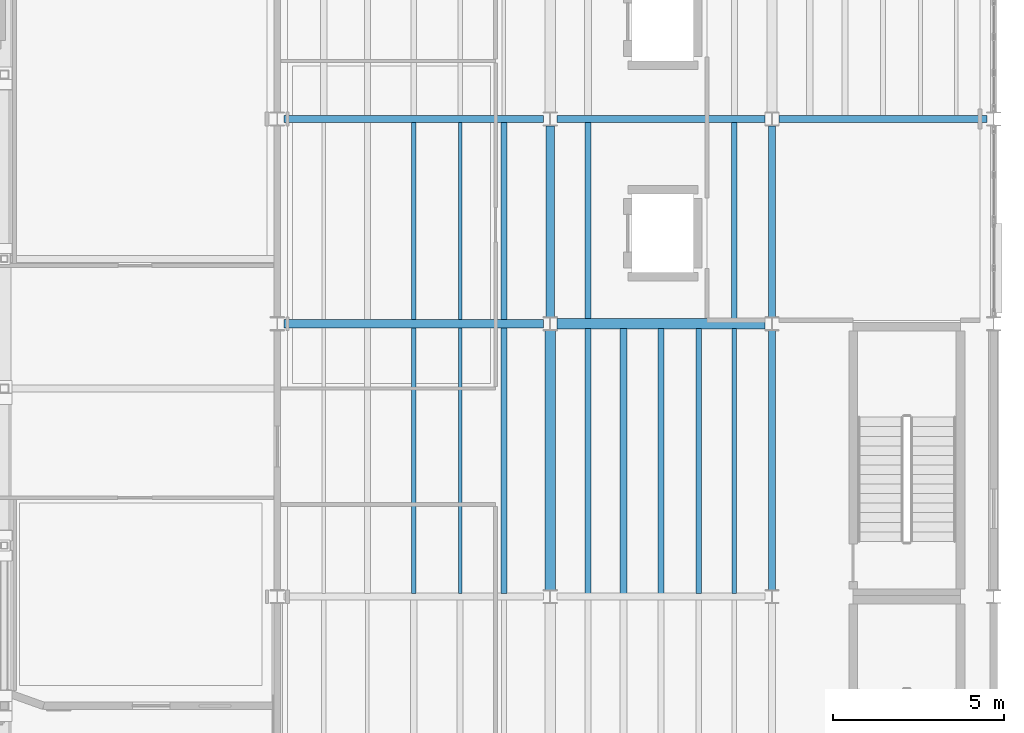
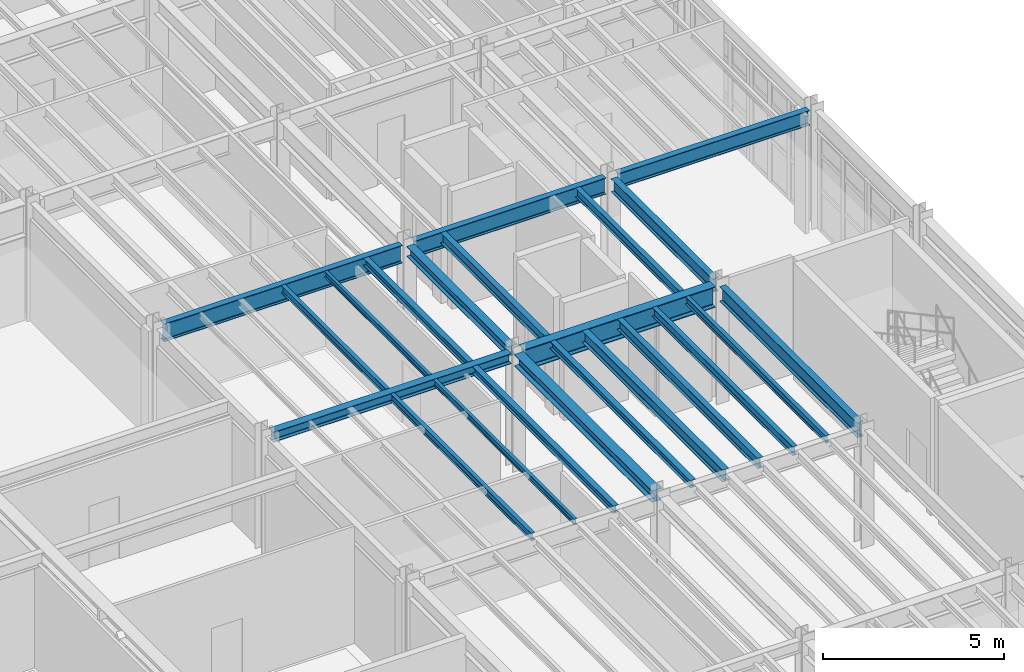
# One storey, part 38 of 78: 22 beams.
"""IFC4 building model written with IfcOpenShell, lengths in metres."""

from ifc_helpers import new_model, si_unit, direction, frame, origin, origin_2d, place, context, subcontext, project, spatial, i_section, extrude, material, material_profile, profile_set, type_object, element, save


model = new_model("IFC4")

# Units and contexts
model_context = context("Model", 3, precision=1e-05, world=origin(), true_north=direction((0.0, 1.0)))
body_context = subcontext(model_context, "Body", "Model", "MODEL_VIEW")
ifc_project = project(units=[si_unit("LENGTHUNIT", "METRE"), si_unit("AREAUNIT", "SQUARE_METRE"), si_unit("VOLUMEUNIT", "CUBIC_METRE"), si_unit("PLANEANGLEUNIT", "RADIAN"), si_unit("MASSUNIT", "GRAM", prefix="KILO"), si_unit("THERMODYNAMICTEMPERATUREUNIT", "KELVIN"), si_unit("POWERUNIT", "WATT")], contexts=[model_context])

# Site, building, storey
site_placement = place(None, origin())
site = spatial("IfcSite", under=ifc_project, at=site_placement, CompositionType="ELEMENT")
building_placement = place(site_placement, origin())
building = spatial("IfcBuilding", under=site, at=building_placement, Name="Zhenchuan Central Fire Station", CompositionType="ELEMENT")
storey_placement = place(building_placement, frame((0.0, 0.0, 5.85009765625)))
storey = spatial("IfcBuildingStorey", under=building, at=storey_placement, Name="L02", CompositionType="ELEMENT", Elevation=5.85009765625)

# Beams
ifc_material = material(Name="Steel Q355B", Category="steel")
ifc_material_profile_1 = material_profile(ifc_material, i_section(OverallWidth=0.25, OverallDepth=0.340087890625, WebThickness=0.009033203125, FlangeThickness=0.013916015625, FilletRadius=0.01806640625, at=origin_2d()), Name="HM 340x250")
ifc_profile_set_1 = profile_set([ifc_material_profile_1], Name="Steel Q355B")
beam_type_1 = type_object("IfcBeamType", Name="BM-HM340", PredefinedType="BEAM", material=ifc_profile_set_1)
beam_1_placement = place(storey_placement, frame((140.199951171875, 22.5, 3.789794921875), z_axis=(1.0, 0.0, 0.0), x_axis=(0.0, 1.0, 0.0)))
element("IfcBeam", 1, at=beam_1_placement, inside=storey, type_object=beam_type_1, Name="L03 Girder EW 0219", PredefinedType="BEAM", context=body_context, shape_type="SweptSolid", body=[
    extrude(i_section(OverallWidth=0.25, OverallDepth=0.340087890625, WebThickness=0.009033203125, FlangeThickness=0.013916015625, FilletRadius=0.01806640625, at=origin_2d()), origin(), (0.0, 0.0, 1.0), 7.60009765625),
])
beam_2_placement = place(storey_placement, frame((148.0, 22.699951171875, 3.789794921875), z_axis=(0.0, 1.0, 0.0), x_axis=(-1.0, 0.0, 0.0)))
element("IfcBeam", 2, at=beam_2_placement, inside=storey, type_object=beam_type_1, Name="L03 Girder NS 0328", PredefinedType="BEAM", context=body_context, shape_type="SweptSolid", body=[
    extrude(i_section(OverallWidth=0.25, OverallDepth=0.340087890625, WebThickness=0.009033203125, FlangeThickness=0.013916015625, FilletRadius=0.01806640625, at=origin_2d()), origin(), (0.0, 0.0, 1.0), 5.60009765625),
])
ifc_material_profile_2 = material_profile(ifc_material, i_section(OverallWidth=0.300048828125, OverallDepth=0.389892578125, WebThickness=0.010009765625, FlangeThickness=0.01611328125, FilletRadius=0.02001953125, at=origin_2d()), Name="HM 390x300")
ifc_profile_set_2 = profile_set([ifc_material_profile_2], Name="Steel Q355B")
beam_type_2 = type_object("IfcBeamType", Name="BM-HM390-INT", PredefinedType="BEAM", material=ifc_profile_set_2)
beam_3_placement = place(storey_placement, frame((148.0, 14.699951171875, 3.764892578125), z_axis=(0.0, 1.0, 0.0), x_axis=(-1.0, 0.0, 0.0)))
element("IfcBeam", 3, at=beam_3_placement, inside=storey, type_object=beam_type_2, Name="L03 Girder NS 0327", PredefinedType="BEAM", context=body_context, shape_type="SweptSolid", body=[
    extrude(i_section(OverallWidth=0.300048828125, OverallDepth=0.389892578125, WebThickness=0.010009765625, FlangeThickness=0.01611328125, FilletRadius=0.02001953125, at=origin_2d()), origin(), (0.0, 0.0, 1.0), 7.60009765625),
])
ifc_material_profile_3 = material_profile(ifc_material, i_section(OverallWidth=0.199951171875, OverallDepth=0.449951171875, WebThickness=0.009033203125, FlangeThickness=0.013916015625, FilletRadius=0.01806640625, at=origin_2d()), Name="HN 450x200")
ifc_profile_set_3 = profile_set([ifc_material_profile_3], Name="Steel Q355B")
beam_type_3 = type_object("IfcBeamType", Name="BM-HN450", PredefinedType="BEAM", material=ifc_profile_set_3)
beam_4_placement = place(storey_placement, frame((154.5, 22.699951171875, 3.73486328125), z_axis=(0.0, 1.0, 0.0), x_axis=(-1.0, 0.0, 0.0)))
element("IfcBeam", 4, at=beam_4_placement, inside=storey, type_object=beam_type_3, Name="L03 Girder NS 0335", PredefinedType="BEAM", context=body_context, shape_type="SweptSolid", body=[
    extrude(i_section(OverallWidth=0.199951171875, OverallDepth=0.449951171875, WebThickness=0.009033203125, FlangeThickness=0.013916015625, FilletRadius=0.01806640625, at=origin_2d()), origin(), (0.0, 0.0, 1.0), 5.60009765625),
])
ifc_material_profile_4 = material_profile(ifc_material, i_section(OverallWidth=0.199951171875, OverallDepth=0.5, WebThickness=0.010009765625, FlangeThickness=0.01611328125, FilletRadius=0.02001953125, at=origin_2d()), Name="HN 500x200")
ifc_profile_set_4 = profile_set([ifc_material_profile_4], Name="Steel Q355B")
beam_type_4 = type_object("IfcBeamType", Name="BM-HN500-INT", PredefinedType="BEAM", material=ifc_profile_set_4)
beam_5_placement = place(storey_placement, frame((154.699951171875, 28.5, 3.7099609375), z_axis=(1.0, 0.0, 0.0), x_axis=(0.0, 1.0, 0.0)))
element("IfcBeam", 5, at=beam_5_placement, inside=storey, type_object=beam_type_4, Name="L03 Girder EW 0228", PredefinedType="BEAM", context=body_context, shape_type="SweptSolid", body=[
    extrude(i_section(OverallWidth=0.199951171875, OverallDepth=0.5, WebThickness=0.010009765625, FlangeThickness=0.01611328125, FilletRadius=0.02001953125, at=origin_2d()), origin(), (0.0, 0.0, 1.0), 6.10009765625),
])
beam_6_placement = place(storey_placement, frame((154.5, 14.699951171875, 3.7099609375), z_axis=(0.0, 1.0, 0.0), x_axis=(-1.0, 0.0, 0.0)))
element("IfcBeam", 6, at=beam_6_placement, inside=storey, type_object=beam_type_4, Name="L03 Girder NS 0334", PredefinedType="BEAM", context=body_context, shape_type="SweptSolid", body=[
    extrude(i_section(OverallWidth=0.199951171875, OverallDepth=0.5, WebThickness=0.010009765625, FlangeThickness=0.01611328125, FilletRadius=0.02001953125, at=origin_2d()), origin(), (0.0, 0.0, 1.0), 7.60009765625),
])
ifc_material_profile_5 = material_profile(ifc_material, i_section(OverallWidth=0.199951171875, OverallDepth=0.550048828125, WebThickness=0.010009765625, FlangeThickness=0.01611328125, FilletRadius=0.02001953125, at=origin_2d()), Name="HN 550x200")
ifc_profile_set_5 = profile_set([ifc_material_profile_5], Name="Steel Q355B")
beam_type_5 = type_object("IfcBeamType", Name="BM-HN550-INT", PredefinedType="BEAM", material=ifc_profile_set_5)
beam_7_placement = place(storey_placement, frame((148.199951171875, 28.5, 3.684814453125), z_axis=(1.0, 0.0, 0.0), x_axis=(0.0, 1.0, 0.0)))
element("IfcBeam", 7, at=beam_7_placement, inside=storey, type_object=beam_type_5, Name="L03 Girder EW 0227", PredefinedType="BEAM", context=body_context, shape_type="SweptSolid", body=[
    extrude(i_section(OverallWidth=0.199951171875, OverallDepth=0.550048828125, WebThickness=0.010009765625, FlangeThickness=0.01611328125, FilletRadius=0.02001953125, at=origin_2d()), origin(), (0.0, 0.0, 1.0), 6.10009765625),
])
ifc_material_profile_6 = material_profile(ifc_material, i_section(OverallWidth=0.199951171875, OverallDepth=0.60009765625, WebThickness=0.010986328125, FlangeThickness=0.01708984375, FilletRadius=0.02197265625, at=origin_2d()), Name="HN 600x200")
ifc_profile_set_6 = profile_set([ifc_material_profile_6], Name="Steel Q355B")
beam_type_6 = type_object("IfcBeamType", Name="BM-HN600-INT", PredefinedType="BEAM", material=ifc_profile_set_6)
beam_8_placement = place(storey_placement, frame((140.199951171875, 28.5, 3.659912109375), z_axis=(1.0, 0.0, 0.0), x_axis=(0.0, 1.0, 0.0)))
element("IfcBeam", 8, at=beam_8_placement, inside=storey, type_object=beam_type_6, Name="L03 Girder EW 0226", PredefinedType="BEAM", context=body_context, shape_type="SweptSolid", body=[
    extrude(i_section(OverallWidth=0.199951171875, OverallDepth=0.60009765625, WebThickness=0.010986328125, FlangeThickness=0.01708984375, FilletRadius=0.02197265625, at=origin_2d()), origin(), (0.0, 0.0, 1.0), 7.60009765625),
])
ifc_material_profile_7 = material_profile(ifc_material, i_section(OverallWidth=0.300048828125, OverallDepth=0.699951171875, WebThickness=0.012939453125, FlangeThickness=0.02392578125, FilletRadius=0.02392578125, at=origin_2d()), Name="HN 700x300")
ifc_profile_set_7 = profile_set([ifc_material_profile_7], Name="Steel Q355B")
beam_type_7 = type_object("IfcBeamType", Name="BM-HN700", PredefinedType="BEAM", material=ifc_profile_set_7)
beam_9_placement = place(storey_placement, frame((148.199951171875, 22.5, 3.60986328125), z_axis=(1.0, 0.0, 0.0), x_axis=(0.0, 1.0, 0.0)))
element("IfcBeam", 9, at=beam_9_placement, inside=storey, type_object=beam_type_7, Name="L03 Girder EW 0220", PredefinedType="BEAM", context=body_context, shape_type="SweptSolid", body=[
    extrude(i_section(OverallWidth=0.300048828125, OverallDepth=0.699951171875, WebThickness=0.012939453125, FlangeThickness=0.02392578125, FilletRadius=0.02392578125, at=origin_2d()), origin(), (0.0, 0.0, 1.0), 6.10009765625),
])
ifc_material_profile_8 = material_profile(ifc_material, i_section(OverallWidth=0.175048828125, OverallDepth=0.243896484375, WebThickness=0.007080078125, FlangeThickness=0.010986328125, FilletRadius=0.012939453125, at=origin_2d()), Name="HM 244x175")
ifc_profile_set_8 = profile_set([ifc_material_profile_8], Name="Steel Q355B")
beam_type_8 = type_object("IfcBeamType", Name="JS-HM244", PredefinedType="JOIST", material=ifc_profile_set_8)
beam_10_placement = place(storey_placement, frame((146.639892578125, 14.596923828125, 3.837890625), z_axis=(0.0, 1.0, 0.0), x_axis=(-1.0, 0.0, 0.0)))
element("IfcBeam", 10, at=beam_10_placement, inside=storey, type_object=beam_type_8, Name="L03 Secondary Joist 0384", PredefinedType="JOIST", context=body_context, shape_type="SweptSolid", body=[
    extrude(i_section(OverallWidth=0.175048828125, OverallDepth=0.243896484375, WebThickness=0.007080078125, FlangeThickness=0.010986328125, FilletRadius=0.012939453125, at=origin_2d()), origin(), (0.0, 0.0, 1.0), 7.781005859375),
])
beam_11_placement = place(storey_placement, frame((149.10498046875, 14.596923828125, 3.837890625), z_axis=(0.0, 1.0, 0.0), x_axis=(-1.0, 0.0, 0.0)))
element("IfcBeam", 11, at=beam_11_placement, inside=storey, type_object=beam_type_8, Name="L03 Secondary Joist 0385", PredefinedType="JOIST", context=body_context, shape_type="SweptSolid", body=[
    extrude(i_section(OverallWidth=0.175048828125, OverallDepth=0.243896484375, WebThickness=0.007080078125, FlangeThickness=0.010986328125, FilletRadius=0.012939453125, at=origin_2d()), origin(), (0.0, 0.0, 1.0), 7.756103515625),
])
beam_12_placement = place(storey_placement, frame((146.639892578125, 22.6220703125, 3.837890625), z_axis=(0.0, 1.0, 0.0), x_axis=(-1.0, 0.0, 0.0)))
element("IfcBeam", 12, at=beam_12_placement, inside=storey, type_object=beam_type_8, Name="L03 Secondary Joist 0414", PredefinedType="JOIST", context=body_context, shape_type="SweptSolid", body=[
    extrude(i_section(OverallWidth=0.175048828125, OverallDepth=0.243896484375, WebThickness=0.007080078125, FlangeThickness=0.010986328125, FilletRadius=0.012939453125, at=origin_2d()), origin(), (0.0, 0.0, 1.0), 5.781005859375),
])
ifc_material_profile_9 = material_profile(ifc_material, i_section(OverallWidth=0.10009765625, OverallDepth=0.199951171875, WebThickness=0.005615234375, FlangeThickness=0.008056640625, FilletRadius=0.010986328125, at=origin_2d()), Name="HN 200x100")
ifc_profile_set_9 = profile_set([ifc_material_profile_9], Name="Steel Q355B")
beam_type_9 = type_object("IfcBeamType", Name="JS-HN200", PredefinedType="JOIST", material=ifc_profile_set_9)
beam_13_placement = place(storey_placement, frame((145.360107421875, 14.596923828125, 3.85986328125), z_axis=(0.0, 1.0, 0.0), x_axis=(-1.0, 0.0, 0.0)))
element("IfcBeam", 13, at=beam_13_placement, inside=storey, type_object=beam_type_9, Name="L03 Secondary Joist 0383", PredefinedType="JOIST", context=body_context, shape_type="SweptSolid", body=[
    extrude(i_section(OverallWidth=0.10009765625, OverallDepth=0.199951171875, WebThickness=0.005615234375, FlangeThickness=0.008056640625, FilletRadius=0.010986328125, at=origin_2d()), origin(), (0.0, 0.0, 1.0), 7.781005859375),
])
beam_14_placement = place(storey_placement, frame((145.360107421875, 22.6220703125, 3.85986328125), z_axis=(0.0, 1.0, 0.0), x_axis=(-1.0, 0.0, 0.0)))
element("IfcBeam", 14, at=beam_14_placement, inside=storey, type_object=beam_type_9, Name="L03 Secondary Joist 0413", PredefinedType="JOIST", context=body_context, shape_type="SweptSolid", body=[
    extrude(i_section(OverallWidth=0.10009765625, OverallDepth=0.199951171875, WebThickness=0.005615234375, FlangeThickness=0.008056640625, FilletRadius=0.010986328125, at=origin_2d()), origin(), (0.0, 0.0, 1.0), 5.781005859375),
])
ifc_material_profile_10 = material_profile(ifc_material, i_section(OverallWidth=0.125, OverallDepth=0.25, WebThickness=0.006103515625, FlangeThickness=0.009033203125, FilletRadius=0.011962890625, at=origin_2d()), Name="HN 250x125")
ifc_profile_set_10 = profile_set([ifc_material_profile_10], Name="Steel Q355B")
beam_type_10 = type_object("IfcBeamType", Name="JS-HN250", PredefinedType="JOIST", material=ifc_profile_set_10)
beam_15_placement = place(storey_placement, frame((144.0, 14.596923828125, 3.8349609375), z_axis=(0.0, 1.0, 0.0), x_axis=(-1.0, 0.0, 0.0)))
element("IfcBeam", 15, at=beam_15_placement, inside=storey, type_object=beam_type_10, Name="L03 Secondary Joist 0382", PredefinedType="JOIST", context=body_context, shape_type="SweptSolid", body=[
    extrude(i_section(OverallWidth=0.125, OverallDepth=0.25, WebThickness=0.006103515625, FlangeThickness=0.009033203125, FilletRadius=0.011962890625, at=origin_2d()), origin(), (0.0, 0.0, 1.0), 7.781005859375),
])
beam_16_placement = place(storey_placement, frame((153.39501953125, 14.596923828125, 3.8349609375), z_axis=(0.0, 1.0, 0.0), x_axis=(-1.0, 0.0, 0.0)))
element("IfcBeam", 16, at=beam_16_placement, inside=storey, type_object=beam_type_10, Name="L03 Secondary Joist 0389", PredefinedType="JOIST", context=body_context, shape_type="SweptSolid", body=[
    extrude(i_section(OverallWidth=0.125, OverallDepth=0.25, WebThickness=0.006103515625, FlangeThickness=0.009033203125, FilletRadius=0.011962890625, at=origin_2d()), origin(), (0.0, 0.0, 1.0), 7.756103515625),
])
beam_17_placement = place(storey_placement, frame((144.0, 22.6220703125, 3.8349609375), z_axis=(0.0, 1.0, 0.0), x_axis=(-1.0, 0.0, 0.0)))
element("IfcBeam", 17, at=beam_17_placement, inside=storey, type_object=beam_type_10, Name="L03 Secondary Joist 0412", PredefinedType="JOIST", context=body_context, shape_type="SweptSolid", body=[
    extrude(i_section(OverallWidth=0.125, OverallDepth=0.25, WebThickness=0.006103515625, FlangeThickness=0.009033203125, FilletRadius=0.011962890625, at=origin_2d()), origin(), (0.0, 0.0, 1.0), 5.781005859375),
])
ifc_material_profile_11 = material_profile(ifc_material, i_section(OverallWidth=0.14990234375, OverallDepth=0.300048828125, WebThickness=0.006591796875, FlangeThickness=0.009033203125, FilletRadius=0.012939453125, at=origin_2d()), Name="HN 300x150")
ifc_profile_set_11 = profile_set([ifc_material_profile_11], Name="Steel Q355B")
beam_type_11 = type_object("IfcBeamType", Name="JS-HN300", PredefinedType="JOIST", material=ifc_profile_set_11)
beam_18_placement = place(storey_placement, frame((152.35498046875, 14.596923828125, 3.809814453125), z_axis=(0.0, 1.0, 0.0), x_axis=(-1.0, 0.0, 0.0)))
element("IfcBeam", 18, at=beam_18_placement, inside=storey, type_object=beam_type_11, Name="L03 Secondary Joist 0388", PredefinedType="JOIST", context=body_context, shape_type="SweptSolid", body=[
    extrude(i_section(OverallWidth=0.14990234375, OverallDepth=0.300048828125, WebThickness=0.006591796875, FlangeThickness=0.009033203125, FilletRadius=0.012939453125, at=origin_2d()), origin(), (0.0, 0.0, 1.0), 7.756103515625),
])
beam_19_placement = place(storey_placement, frame((153.39501953125, 22.64697265625, 3.809814453125), z_axis=(0.0, 1.0, 0.0), x_axis=(-1.0, 0.0, 0.0)))
element("IfcBeam", 19, at=beam_19_placement, inside=storey, type_object=beam_type_11, Name="L03 Secondary Joist 0416", PredefinedType="JOIST", context=body_context, shape_type="SweptSolid", body=[
    extrude(i_section(OverallWidth=0.14990234375, OverallDepth=0.300048828125, WebThickness=0.006591796875, FlangeThickness=0.009033203125, FilletRadius=0.012939453125, at=origin_2d()), origin(), (0.0, 0.0, 1.0), 5.756103515625),
])
ifc_material_profile_12 = material_profile(ifc_material, i_section(OverallWidth=0.175048828125, OverallDepth=0.35009765625, WebThickness=0.007080078125, FlangeThickness=0.010986328125, FilletRadius=0.013916015625, at=origin_2d()), Name="HN 350x175")
ifc_profile_set_12 = profile_set([ifc_material_profile_12], Name="Steel Q355B")
beam_type_12 = type_object("IfcBeamType", Name="JS-HN350", PredefinedType="JOIST", material=ifc_profile_set_12)
beam_20_placement = place(storey_placement, frame((151.25, 14.596923828125, 3.784912109375), z_axis=(0.0, 1.0, 0.0), x_axis=(-1.0, 0.0, 0.0)))
element("IfcBeam", 20, at=beam_20_placement, inside=storey, type_object=beam_type_12, Name="L03 Secondary Joist 0387", PredefinedType="JOIST", context=body_context, shape_type="SweptSolid", body=[
    extrude(i_section(OverallWidth=0.175048828125, OverallDepth=0.35009765625, WebThickness=0.007080078125, FlangeThickness=0.010986328125, FilletRadius=0.013916015625, at=origin_2d()), origin(), (0.0, 0.0, 1.0), 7.756103515625),
])
beam_21_placement = place(storey_placement, frame((149.10498046875, 22.64697265625, 3.784912109375), z_axis=(0.0, 1.0, 0.0), x_axis=(-1.0, 0.0, 0.0)))
element("IfcBeam", 21, at=beam_21_placement, inside=storey, type_object=beam_type_12, Name="L03 Secondary Joist 0415", PredefinedType="JOIST", context=body_context, shape_type="SweptSolid", body=[
    extrude(i_section(OverallWidth=0.175048828125, OverallDepth=0.35009765625, WebThickness=0.007080078125, FlangeThickness=0.010986328125, FilletRadius=0.013916015625, at=origin_2d()), origin(), (0.0, 0.0, 1.0), 5.756103515625),
])
ifc_material_profile_13 = material_profile(ifc_material, i_section(OverallWidth=0.199951171875, OverallDepth=0.39990234375, WebThickness=0.008056640625, FlangeThickness=0.012939453125, FilletRadius=0.01611328125, at=origin_2d()), Name="HN 400x200")
ifc_profile_set_13 = profile_set([ifc_material_profile_13], Name="Steel Q355B")
beam_type_13 = type_object("IfcBeamType", Name="JS-HN400", PredefinedType="JOIST", material=ifc_profile_set_13)
beam_22_placement = place(storey_placement, frame((150.14501953125, 14.596923828125, 3.760009765625), z_axis=(0.0, 1.0, 0.0), x_axis=(-1.0, 0.0, 0.0)))
element("IfcBeam", 22, at=beam_22_placement, inside=storey, type_object=beam_type_13, Name="L03 Secondary Joist 0386", PredefinedType="JOIST", context=body_context, shape_type="SweptSolid", body=[
    extrude(i_section(OverallWidth=0.199951171875, OverallDepth=0.39990234375, WebThickness=0.008056640625, FlangeThickness=0.012939453125, FilletRadius=0.01611328125, at=origin_2d()), origin(), (0.0, 0.0, 1.0), 7.756103515625),
])

save(model, "model.ifc")
